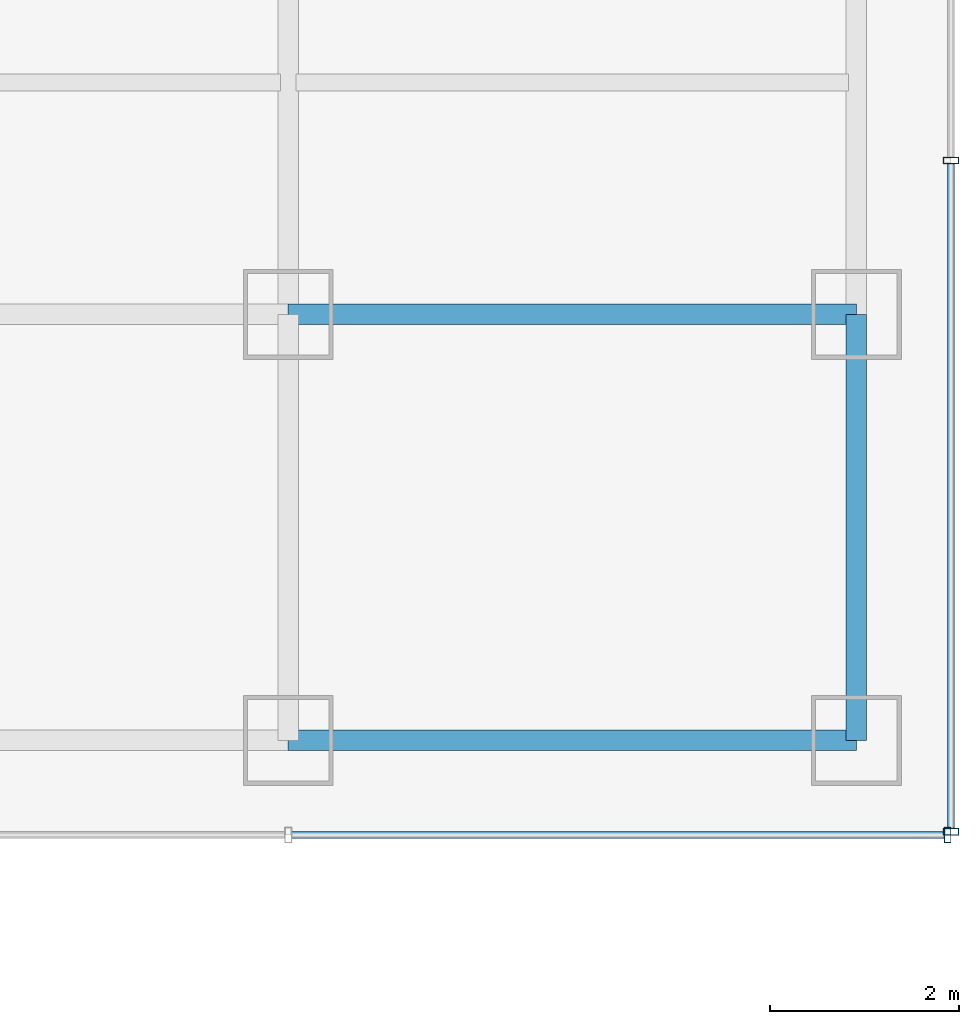
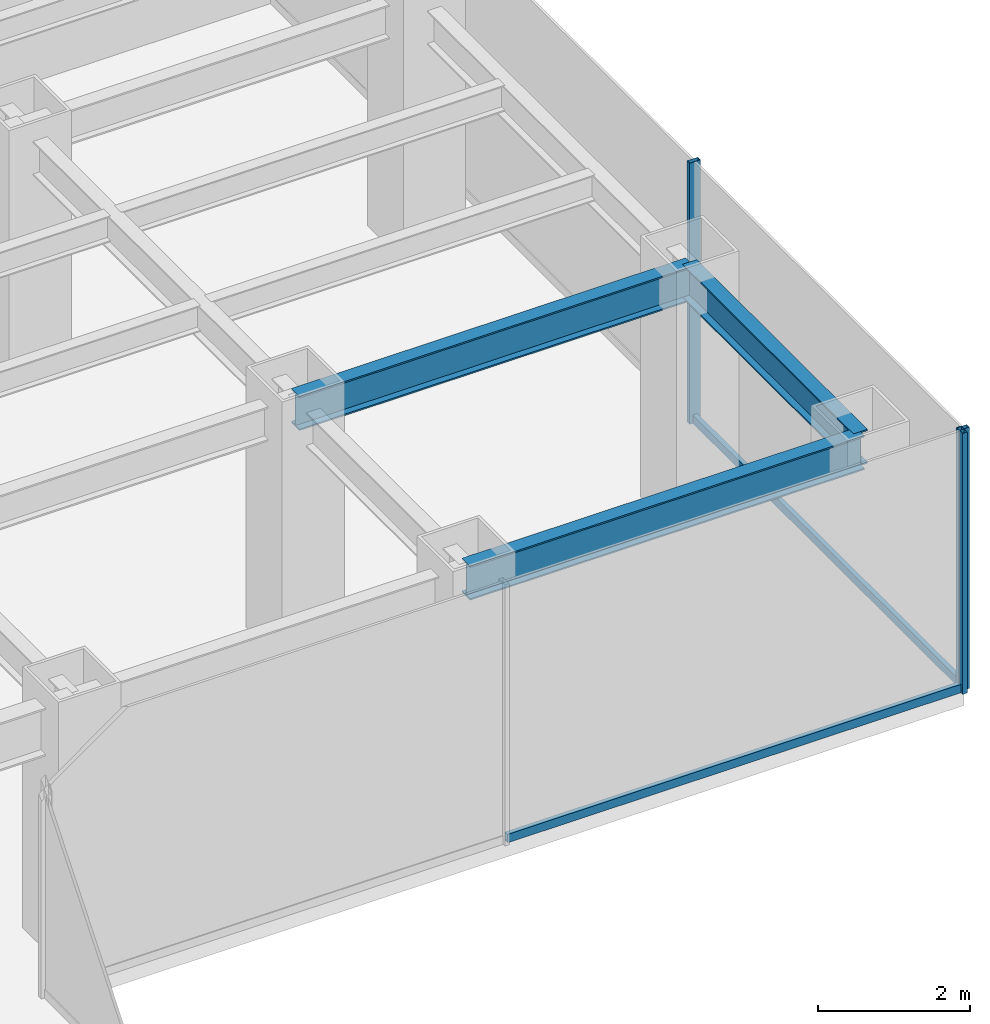
# One storey, part 11 of 35: 5 members, 3 beams, 2 elements without a shape of their own.
"""IFC4 building model written with IfcOpenShell, lengths in metres."""

from ifc_helpers import new_model, si_unit, derived_unit, direction, frame, origin, origin_2d, place, context, subcontext, project, spatial, hollow_rectangle, i_section, extrude, source, transform, mapped, material, material_profile, profile_set, type_object, element, aggregate, save


model = new_model("IFC4")

# Units and contexts
model_context = context("Model", 3, precision=1e-05, world=origin(), true_north=direction((0.0, 1.0)))
body_context = subcontext(model_context, "Body", "Model", "MODEL_VIEW")
ifc_project = project(units=[si_unit("LENGTHUNIT", "METRE"), si_unit("AREAUNIT", "SQUARE_METRE"), si_unit("VOLUMEUNIT", "CUBIC_METRE"), si_unit("PLANEANGLEUNIT", "RADIAN"), si_unit("MASSUNIT", "GRAM", prefix="KILO"), derived_unit("THERMALTRANSMITTANCEUNIT", [(si_unit("POWERUNIT", "WATT"), 1), (si_unit("LENGTHUNIT", "METRE"), -2), (si_unit("THERMODYNAMICTEMPERATUREUNIT", "KELVIN"), -1)])], contexts=[model_context])

# Site, building, storey
site_placement = place(None, origin())
site = spatial("IfcSite", under=ifc_project, at=site_placement, CompositionType="ELEMENT")
building_placement = place(site_placement, origin())
building = spatial("IfcBuilding", under=site, at=building_placement, Name="Skarnbrae Concourse Arena and Tower", CompositionType="ELEMENT")
storey_placement = place(building_placement, frame((0.0, 0.0, 79.949951171875)))
storey = spatial("IfcBuildingStorey", under=building, at=storey_placement, Name="L19", CompositionType="ELEMENT", Elevation=79.949951171875)

# Beams
ifc_material_1 = material(Name="Steel CSA G40.21 350W", Category="steel")
ifc_material_profile_1 = material_profile(ifc_material_1, i_section(OverallWidth=0.214111328125, OverallDepth=0.549072265625, WebThickness=0.0146484375, FlangeThickness=0.023681640625, at=origin_2d()), Name="W530X138")
ifc_profile_set_1 = profile_set([ifc_material_profile_1], Name="Steel CSA G40.21 350W")
beam_type = type_object("IfcBeamType", Name="BM-SPAN-W530X138", PredefinedType="SPANDREL", material=ifc_profile_set_1)
shared_shape_1 = source(origin(), body_context, "Body", "SweptSolid", [
    extrude(i_section(OverallWidth=0.214111328125, OverallDepth=0.549072265625, WebThickness=0.0146484375, FlangeThickness=0.023681640625, at=origin_2d()), origin(), (0.0, 0.0, 1.0), 6.0),
])
for number, where, z_axis, x_axis, name in (
    (1, (55.0, 9.5, 3.62548828125), (1.0, 0.0, 0.0), (0.0, 1.0, 0.0), "L19 Perimeter spandrel Y9.5-4"),
    (2, (55.0, 14.0, 3.62548828125), (1.0, 0.0, 0.0), (0.0, 1.0, 0.0), "L19 Perimeter spandrel Y14.0-9"),
):
    element("IfcBeam", number, at=place(storey_placement, frame(where, z_axis=z_axis, x_axis=x_axis)), inside=storey, type_object=beam_type, Name=name, PredefinedType="SPANDREL", context=body_context, shape_type="MappedRepresentation", body=[
        mapped(shared_shape_1, transform((0.0, 0.0, 0.0))),
    ])
shared_shape_2 = source(origin(), body_context, "Body", "SweptSolid", [
    extrude(i_section(OverallWidth=0.214111328125, OverallDepth=0.549072265625, WebThickness=0.0146484375, FlangeThickness=0.023681640625, at=origin_2d()), origin(), (0.0, 0.0, 1.0), 4.5),
])
beam_placement = place(storey_placement, frame((61.0, 9.5, 3.62548828125), z_axis=(0.0, 1.0, 0.0), x_axis=(-1.0, 0.0, 0.0)))
element("IfcBeam", 3, at=beam_placement, inside=storey, type_object=beam_type, Name="L19 Perimeter spandrel X61.0-1", PredefinedType="SPANDREL", context=body_context, shape_type="MappedRepresentation", body=[
    mapped(shared_shape_2, transform((0.0, 0.0, 0.0))),
])

# Curtain wall, member
ifc_material_2 = material(Name="Bronze anodised aluminium 6063-T6", Category="aluminium")
curtain_wall_type = type_object("IfcCurtainWallType", Name="CW-SYS-06-SKYLOBBY", PredefinedType="USERDEFINED", material=ifc_material_2)
curtain_wall_1_placement = place(storey_placement, origin())
curtain_wall_1 = element("IfcCurtainWall", 4, at=curtain_wall_1_placement, inside=storey, type_object=curtain_wall_type, Name="L19 Unitised curtain wall CW-L19-E03", ObjectType="UNITISED CURTAIN WALL", PredefinedType="USERDEFINED")
ifc_material_profile_2 = material_profile(ifc_material_2, hollow_rectangle(XDim=0.070068359375, YDim=0.1650390625, WallThickness=0.00390625, at=origin_2d()), Name="ALU-MULL-70X165")
ifc_profile_set_2 = profile_set([ifc_material_profile_2], Name="Bronze anodised aluminium 6063-T6")
member_type_1 = type_object("IfcMemberType", Name="CWM-CW-06", PredefinedType="MULLION", material=ifc_profile_set_2)
shared_shape_3 = source(origin(), body_context, "Body", "SweptSolid", [
    extrude(hollow_rectangle(XDim=0.070068359375, YDim=0.1650390625, WallThickness=0.00390625, at=origin_2d()), origin(), (0.0, 0.0, 1.0), 4.199951171875),
])
member_1_placement = place(storey_placement, frame((61.965087890625, 8.5, 0.0), z_axis=(0.0, 0.0, 1.0), x_axis=(1.0, 0.0, 0.0)))
member_1 = element("IfcMember", 5, at=member_1_placement, type_object=member_type_1, Name="CW-L19-E03 Mullion 3", PredefinedType="MULLION", context=body_context, shape_type="MappedRepresentation", body=[
    mapped(shared_shape_3, transform((0.0, 0.0, 0.0))),
])

# Curtain wall, members
curtain_wall_2_placement = place(storey_placement, origin())
curtain_wall_2 = element("IfcCurtainWall", 6, at=curtain_wall_2_placement, inside=storey, type_object=curtain_wall_type, Name="L19 Unitised curtain wall CW-L19-E04", ObjectType="UNITISED CURTAIN WALL", PredefinedType="USERDEFINED")
member_2_placement = place(storey_placement, frame((62.0, 8.534912109375, 0.0), z_axis=(0.0, 0.0, 1.0), x_axis=(0.0, 1.0, 0.0)))
member_2 = element("IfcMember", 7, at=member_2_placement, type_object=member_type_1, Name="CW-L19-E04 Mullion 1", PredefinedType="MULLION", context=body_context, shape_type="MappedRepresentation", body=[
    mapped(shared_shape_3, transform((0.0, 0.0, 0.0))),
])
member_3_placement = place(storey_placement, frame((62.0, 15.625, 0.0), z_axis=(0.0, 0.0, 1.0), x_axis=(0.0, 1.0, 0.0)))
member_3 = element("IfcMember", 8, at=member_3_placement, type_object=member_type_1, Name="CW-L19-E04 Mullion 2", PredefinedType="MULLION", context=body_context, shape_type="MappedRepresentation", body=[
    mapped(shared_shape_3, transform((0.0, 0.0, 0.0))),
])

# Member
ifc_material_profile_3 = material_profile(ifc_material_2, hollow_rectangle(XDim=0.070068359375, YDim=0.135009765625, WallThickness=0.00390625, at=origin_2d()), Name="ALU-TRAN-70X135")
ifc_profile_set_3 = profile_set([ifc_material_profile_3], Name="Bronze anodised aluminium 6063-T6")
member_type_2 = type_object("IfcMemberType", Name="CWT-CW-06", PredefinedType="USERDEFINED", material=ifc_profile_set_3)
shared_shape_4 = source(origin(), body_context, "Body", "SweptSolid", [
    extrude(hollow_rectangle(XDim=0.070068359375, YDim=0.135009765625, WallThickness=0.00390625, at=origin_2d()), origin(), (0.0, 0.0, 1.0), 6.89501953125),
])
member_4_placement = place(storey_placement, frame((55.034912109375, 8.5, 0.067626953125), z_axis=(1.0, 0.0, 0.0), x_axis=(0.0, 1.0, 0.0)))
member_4 = element("IfcMember", 9, at=member_4_placement, type_object=member_type_2, Name="CW-L19-E03 Transom 2", ObjectType="TRANSOM", PredefinedType="USERDEFINED", context=body_context, shape_type="MappedRepresentation", body=[
    mapped(shared_shape_4, transform((0.0, 0.0, 0.0))),
])

aggregate(curtain_wall_1, [member_1, member_4])

shared_shape_5 = source(origin(), body_context, "Body", "SweptSolid", [
    extrude(hollow_rectangle(XDim=0.070068359375, YDim=0.135009765625, WallThickness=0.00390625, at=origin_2d()), origin(), (0.0, 0.0, 1.0), 7.02001953125),
])
member_5_placement = place(storey_placement, frame((62.0, 8.570068359375, 0.067626953125), z_axis=(0.0, 1.0, 0.0), x_axis=(-1.0, 0.0, 0.0)))
member_5 = element("IfcMember", 10, at=member_5_placement, type_object=member_type_2, Name="CW-L19-E04 Transom 1", ObjectType="TRANSOM", PredefinedType="USERDEFINED", context=body_context, shape_type="MappedRepresentation", body=[
    mapped(shared_shape_5, transform((0.0, 0.0, 0.0))),
])

aggregate(curtain_wall_2, [member_2, member_3, member_5])

save(model, "model.ifc")
